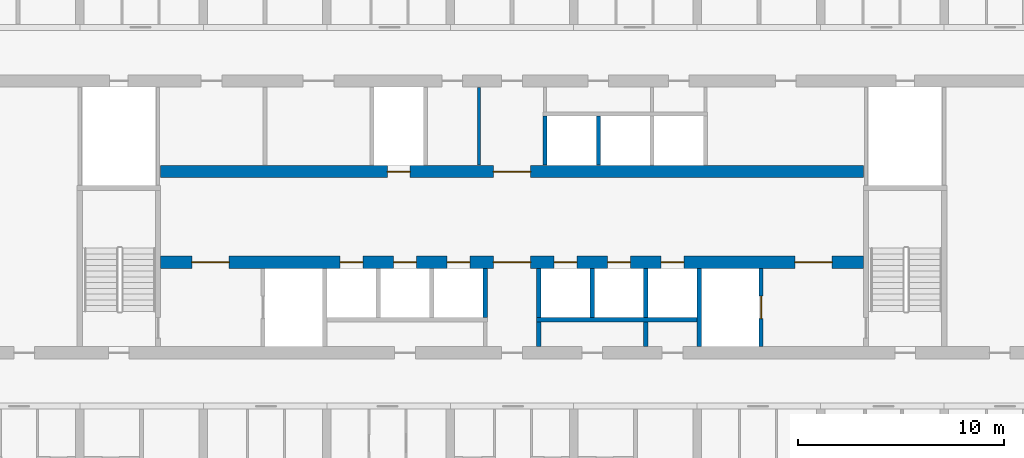
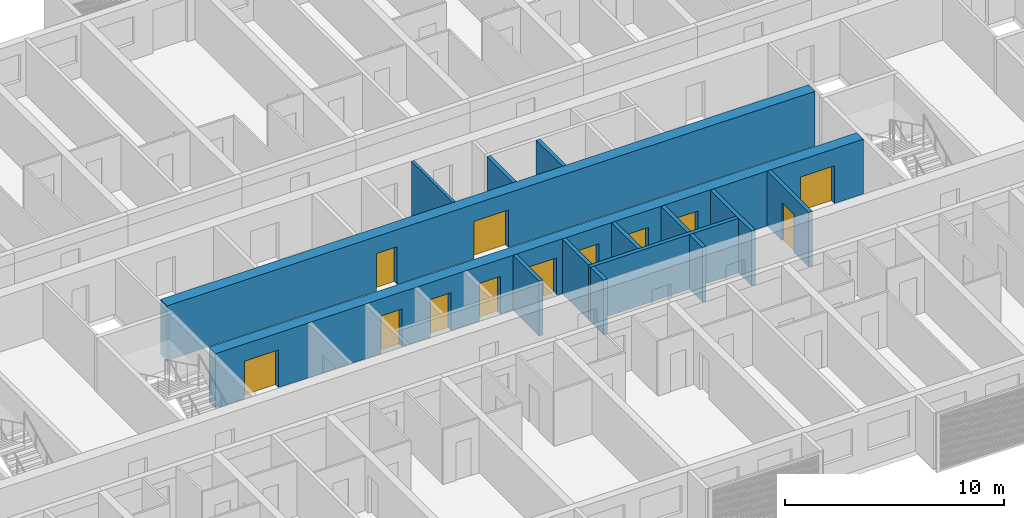
# One storey, part 8 of 38: 14 walls, 12 doors, 12 openings.
"""IFC4 building model written with IfcOpenShell, lengths in metres."""

from ifc_helpers import new_model, si_unit, direction, frame, frame_2d, origin, place, context, subcontext, project, spatial, rectangle, extrude, material, layer, layer_set, type_object, element, fill, save


model = new_model("IFC4")

# Units and contexts
model_context = context("Model", 3, precision=1e-05, world=origin(), true_north=direction((0.0, 1.0)))
body_context = subcontext(model_context, "Body", "Model", "MODEL_VIEW")
ifc_project = project(units=[si_unit("LENGTHUNIT", "METRE"), si_unit("AREAUNIT", "SQUARE_METRE"), si_unit("VOLUMEUNIT", "CUBIC_METRE"), si_unit("PLANEANGLEUNIT", "RADIAN"), si_unit("MASSUNIT", "GRAM", prefix="KILO")], contexts=[model_context])

# Site, building, storey
site_placement = place(None, origin())
site = spatial("IfcSite", under=ifc_project, at=site_placement, CompositionType="ELEMENT")
building_placement = place(site_placement, origin())
building = spatial("IfcBuilding", under=site, at=building_placement, Name="Poui Terraces", CompositionType="ELEMENT")
storey_placement = place(building_placement, frame((0.0, 0.0, 43.199951171875)))
storey = spatial("IfcBuildingStorey", under=building, at=storey_placement, Name="L11", CompositionType="ELEMENT", Elevation=43.199951171875)

# Wall, openings, doors
ifc_material_1 = material(Name="Concrete 80 MPa", Category="concrete")
ifc_layer_1 = layer(ifc_material_1, 0.60009765625)
ifc_layer_set_1 = layer_set([ifc_layer_1], Name="Concrete 80 MPa")
wall_type_1 = type_object("IfcWallType", Name="CORE WALL 600 80 MPA", PredefinedType="SOLIDWALL", material=ifc_layer_set_1)
wall_1_placement = place(storey_placement, frame((33.925048828125, 19.0, 0.0), z_axis=(0.0, 0.0, 1.0), x_axis=(1.0, 0.0, 0.0)))
wall_1 = element("IfcWall", 1, at=wall_1_placement, inside=storey, type_object=wall_type_1, Name="CORE WALL", PredefinedType="SOLIDWALL", context=body_context, shape_type="SweptSolid", body=[
    extrude(rectangle(XDim=34.14990234375, YDim=0.60009765625, at=frame_2d((17.074951171875, 0.0))), origin(), (0.0, 0.0, 1.0), 3.050048828125),
])
opening_1_placement = place(wall_1_placement, frame((16.175048828125, 0.0, 0.0)))
opening_1 = element("IfcOpeningElement", 2, at=opening_1_placement, cuts=wall_1, Name="Opening FDD60", PredefinedType="OPENING", context=body_context, shape_type="SweptSolid", body=[
    extrude(rectangle(XDim=1.800048828125, YDim=2.10009765625, at=frame_2d((0.89990234375, 1.050048828125))), frame((0.0, 0.31005859375, 0.0), z_axis=(0.0, -1.0, 0.0), x_axis=(1.0, 0.0, 0.0)), (0.0, 0.0, 1.0), 0.6201171875),
])
opening_2_placement = place(wall_1_placement, frame((1.52490234375, 0.0, 0.0)))
opening_2 = element("IfcOpeningElement", 3, at=opening_2_placement, cuts=wall_1, Name="Opening FDD60", PredefinedType="OPENING", context=body_context, shape_type="SweptSolid", body=[
    extrude(rectangle(XDim=1.800048828125, YDim=2.10009765625, at=frame_2d((0.89990234375, 1.050048828125))), frame((0.0, 0.31005859375, 0.0), z_axis=(0.0, -1.0, 0.0), x_axis=(1.0, 0.0, 0.0)), (0.0, 0.0, 1.0), 0.6201171875),
])
opening_3_placement = place(wall_1_placement, frame((8.72509765625, 0.0, 0.0)))
opening_3 = element("IfcOpeningElement", 4, at=opening_3_placement, cuts=wall_1, Name="Opening LD", PredefinedType="OPENING", context=body_context, shape_type="SweptSolid", body=[
    extrude(rectangle(XDim=1.10009765625, YDim=2.10009765625, at=frame_2d((0.550048828125, 1.050048828125))), frame((0.0, 0.31005859375, 0.0), z_axis=(0.0, -1.0, 0.0), x_axis=(1.0, 0.0, 0.0)), (0.0, 0.0, 1.0), 0.6201171875),
])
opening_4_placement = place(wall_1_placement, frame((11.324951171875, 0.0, 0.0)))
opening_4 = element("IfcOpeningElement", 5, at=opening_4_placement, cuts=wall_1, Name="Opening LD", PredefinedType="OPENING", context=body_context, shape_type="SweptSolid", body=[
    extrude(rectangle(XDim=1.10009765625, YDim=2.10009765625, at=frame_2d((0.550048828125, 1.050048828125))), frame((0.0, 0.31005859375, 0.0), z_axis=(0.0, -1.0, 0.0), x_axis=(1.0, 0.0, 0.0)), (0.0, 0.0, 1.0), 0.6201171875),
])
opening_5_placement = place(wall_1_placement, frame((13.925048828125, 0.0, 0.0)))
opening_5 = element("IfcOpeningElement", 6, at=opening_5_placement, cuts=wall_1, Name="Opening LD", PredefinedType="OPENING", context=body_context, shape_type="SweptSolid", body=[
    extrude(rectangle(XDim=1.10009765625, YDim=2.10009765625, at=frame_2d((0.550048828125, 1.050048828125))), frame((0.0, 0.31005859375, 0.0), z_axis=(0.0, -1.0, 0.0), x_axis=(1.0, 0.0, 0.0)), (0.0, 0.0, 1.0), 0.6201171875),
])
opening_6_placement = place(wall_1_placement, frame((19.125, 0.0, 0.0)))
opening_6 = element("IfcOpeningElement", 7, at=opening_6_placement, cuts=wall_1, Name="Opening LD", PredefinedType="OPENING", context=body_context, shape_type="SweptSolid", body=[
    extrude(rectangle(XDim=1.10009765625, YDim=2.10009765625, at=frame_2d((0.550048828125, 1.050048828125))), frame((0.0, 0.31005859375, 0.0), z_axis=(0.0, -1.0, 0.0), x_axis=(1.0, 0.0, 0.0)), (0.0, 0.0, 1.0), 0.6201171875),
])
opening_7_placement = place(wall_1_placement, frame((21.72509765625, 0.0, 0.0)))
opening_7 = element("IfcOpeningElement", 8, at=opening_7_placement, cuts=wall_1, Name="Opening LD", PredefinedType="OPENING", context=body_context, shape_type="SweptSolid", body=[
    extrude(rectangle(XDim=1.10009765625, YDim=2.10009765625, at=frame_2d((0.550048828125, 1.050048828125))), frame((0.0, 0.31005859375, 0.0), z_axis=(0.0, -1.0, 0.0), x_axis=(1.0, 0.0, 0.0)), (0.0, 0.0, 1.0), 0.6201171875),
])
opening_8_placement = place(wall_1_placement, frame((24.324951171875, 0.0, 0.0)))
opening_8 = element("IfcOpeningElement", 9, at=opening_8_placement, cuts=wall_1, Name="Opening LD", PredefinedType="OPENING", context=body_context, shape_type="SweptSolid", body=[
    extrude(rectangle(XDim=1.10009765625, YDim=2.10009765625, at=frame_2d((0.550048828125, 1.050048828125))), frame((0.0, 0.31005859375, 0.0), z_axis=(0.0, -1.0, 0.0), x_axis=(1.0, 0.0, 0.0)), (0.0, 0.0, 1.0), 0.6201171875),
])
opening_9_placement = place(wall_1_placement, frame((30.824951171875, 0.0, 0.0)))
opening_9 = element("IfcOpeningElement", 10, at=opening_9_placement, cuts=wall_1, Name="Opening FDD60", PredefinedType="OPENING", context=body_context, shape_type="SweptSolid", body=[
    extrude(rectangle(XDim=1.800048828125, YDim=2.10009765625, at=frame_2d((0.89990234375, 1.050048828125))), frame((0.0, 0.31005859375, 0.0), z_axis=(0.0, -1.0, 0.0), x_axis=(1.0, 0.0, 0.0)), (0.0, 0.0, 1.0), 0.6201171875),
])
ifc_material_2 = material(Name="Steel fire door", Category="steel")
door_type_1 = type_object("IfcDoorType", Name="DOUBLE LOBBY FIRE DOOR 1800 X 2100", OperationType="DOUBLE_DOOR_SINGLE_SWING", PredefinedType="DOOR", material=ifc_material_2)
door_1_placement = place(opening_1_placement, frame((1.800048828125, 0.0, 0.0), z_axis=(0.0, 0.0, 1.0), x_axis=(-1.0, 0.0, 0.0)))
door_1 = element("IfcDoor", 11, at=door_1_placement, inside=storey, type_object=door_type_1, Name="DOUBLE LOBBY FIRE DOOR 153", OperationType="DOUBLE_DOOR_SINGLE_SWING", OverallHeight=2.10009765625, OverallWidth=1.800048828125, PredefinedType="DOOR", context=body_context, shape_type="SweptSolid", body=[
    extrude(rectangle(XDim=1.800048828125, YDim=2.10009765625, at=frame_2d((0.89990234375, 1.050048828125))), frame((0.0, 0.02490234375, 0.0), z_axis=(0.0, -1.0, 0.0), x_axis=(1.0, 0.0, 0.0)), (0.0, 0.0, 1.0), 0.050048828125),
])
fill(opening_1, door_1)
door_2_placement = place(opening_2_placement, origin())
door_2 = element("IfcDoor", 12, at=door_2_placement, inside=storey, type_object=door_type_1, Name="DOUBLE LOBBY FIRE DOOR 154", OperationType="DOUBLE_DOOR_SINGLE_SWING", OverallHeight=2.10009765625, OverallWidth=1.800048828125, PredefinedType="DOOR", context=body_context, shape_type="SweptSolid", body=[
    extrude(rectangle(XDim=1.800048828125, YDim=2.10009765625, at=frame_2d((0.89990234375, 1.050048828125))), frame((0.0, 0.02490234375, 0.0), z_axis=(0.0, -1.0, 0.0), x_axis=(1.0, 0.0, 0.0)), (0.0, 0.0, 1.0), 0.050048828125),
])
fill(opening_2, door_2)
door_3_placement = place(opening_9_placement, origin())
door_3 = element("IfcDoor", 13, at=door_3_placement, inside=storey, type_object=door_type_1, Name="DOUBLE LOBBY FIRE DOOR 162", OperationType="DOUBLE_DOOR_SINGLE_SWING", OverallHeight=2.10009765625, OverallWidth=1.800048828125, PredefinedType="DOOR", context=body_context, shape_type="SweptSolid", body=[
    extrude(rectangle(XDim=1.800048828125, YDim=2.10009765625, at=frame_2d((0.89990234375, 1.050048828125))), frame((0.0, 0.02490234375, 0.0), z_axis=(0.0, -1.0, 0.0), x_axis=(1.0, 0.0, 0.0)), (0.0, 0.0, 1.0), 0.050048828125),
])
fill(opening_9, door_3)
ifc_material_3 = material(Name="Stainless steel sliding door", Category="steel")
door_type_2 = type_object("IfcDoorType", Name="LIFT LANDING DOOR 1100 X 2100", OperationType="DOUBLE_DOOR_SLIDING", PredefinedType="DOOR", material=ifc_material_3)
door_4_placement = place(opening_3_placement, origin())
door_4 = element("IfcDoor", 14, at=door_4_placement, inside=storey, type_object=door_type_2, Name="LANDING DOOR", OperationType="DOUBLE_DOOR_SLIDING", OverallHeight=2.10009765625, OverallWidth=1.10009765625, PredefinedType="DOOR", context=body_context, shape_type="SweptSolid", body=[
    extrude(rectangle(XDim=1.10009765625, YDim=2.10009765625, at=frame_2d((0.550048828125, 1.050048828125))), frame((0.0, 0.02490234375, 0.0), z_axis=(0.0, -1.0, 0.0), x_axis=(1.0, 0.0, 0.0)), (0.0, 0.0, 1.0), 0.050048828125),
])
fill(opening_3, door_4)
door_5_placement = place(opening_4_placement, origin())
door_5 = element("IfcDoor", 15, at=door_5_placement, inside=storey, type_object=door_type_2, Name="LANDING DOOR", OperationType="DOUBLE_DOOR_SLIDING", OverallHeight=2.10009765625, OverallWidth=1.10009765625, PredefinedType="DOOR", context=body_context, shape_type="SweptSolid", body=[
    extrude(rectangle(XDim=1.10009765625, YDim=2.10009765625, at=frame_2d((0.550048828125, 1.050048828125))), frame((0.0, 0.02490234375, 0.0), z_axis=(0.0, -1.0, 0.0), x_axis=(1.0, 0.0, 0.0)), (0.0, 0.0, 1.0), 0.050048828125),
])
fill(opening_4, door_5)
door_6_placement = place(opening_5_placement, origin())
door_6 = element("IfcDoor", 16, at=door_6_placement, inside=storey, type_object=door_type_2, Name="LANDING DOOR", OperationType="DOUBLE_DOOR_SLIDING", OverallHeight=2.10009765625, OverallWidth=1.10009765625, PredefinedType="DOOR", context=body_context, shape_type="SweptSolid", body=[
    extrude(rectangle(XDim=1.10009765625, YDim=2.10009765625, at=frame_2d((0.550048828125, 1.050048828125))), frame((0.0, 0.02490234375, 0.0), z_axis=(0.0, -1.0, 0.0), x_axis=(1.0, 0.0, 0.0)), (0.0, 0.0, 1.0), 0.050048828125),
])
fill(opening_5, door_6)
door_7_placement = place(opening_6_placement, origin())
door_7 = element("IfcDoor", 17, at=door_7_placement, inside=storey, type_object=door_type_2, Name="LANDING DOOR", OperationType="DOUBLE_DOOR_SLIDING", OverallHeight=2.10009765625, OverallWidth=1.10009765625, PredefinedType="DOOR", context=body_context, shape_type="SweptSolid", body=[
    extrude(rectangle(XDim=1.10009765625, YDim=2.10009765625, at=frame_2d((0.550048828125, 1.050048828125))), frame((0.0, 0.02490234375, 0.0), z_axis=(0.0, -1.0, 0.0), x_axis=(1.0, 0.0, 0.0)), (0.0, 0.0, 1.0), 0.050048828125),
])
fill(opening_6, door_7)
door_8_placement = place(opening_7_placement, origin())
door_8 = element("IfcDoor", 18, at=door_8_placement, inside=storey, type_object=door_type_2, Name="LANDING DOOR", OperationType="DOUBLE_DOOR_SLIDING", OverallHeight=2.10009765625, OverallWidth=1.10009765625, PredefinedType="DOOR", context=body_context, shape_type="SweptSolid", body=[
    extrude(rectangle(XDim=1.10009765625, YDim=2.10009765625, at=frame_2d((0.550048828125, 1.050048828125))), frame((0.0, 0.02490234375, 0.0), z_axis=(0.0, -1.0, 0.0), x_axis=(1.0, 0.0, 0.0)), (0.0, 0.0, 1.0), 0.050048828125),
])
fill(opening_7, door_8)
door_9_placement = place(opening_8_placement, origin())
door_9 = element("IfcDoor", 19, at=door_9_placement, inside=storey, type_object=door_type_2, Name="LANDING DOOR", OperationType="DOUBLE_DOOR_SLIDING", OverallHeight=2.10009765625, OverallWidth=1.10009765625, PredefinedType="DOOR", context=body_context, shape_type="SweptSolid", body=[
    extrude(rectangle(XDim=1.10009765625, YDim=2.10009765625, at=frame_2d((0.550048828125, 1.050048828125))), frame((0.0, 0.02490234375, 0.0), z_axis=(0.0, -1.0, 0.0), x_axis=(1.0, 0.0, 0.0)), (0.0, 0.0, 1.0), 0.050048828125),
])
fill(opening_8, door_9)

wall_2_placement = place(storey_placement, frame((33.925048828125, 23.39990234375, 0.0), z_axis=(0.0, 0.0, 1.0), x_axis=(1.0, 0.0, 0.0)))
wall_2 = element("IfcWall", 20, at=wall_2_placement, inside=storey, type_object=wall_type_1, Name="CORE WALL", PredefinedType="SOLIDWALL", context=body_context, shape_type="SweptSolid", body=[
    extrude(rectangle(XDim=34.14990234375, YDim=0.60009765625, at=frame_2d((17.074951171875, 0.0))), origin(), (0.0, 0.0, 1.0), 3.050048828125),
])
opening_10_placement = place(wall_2_placement, frame((16.175048828125, 0.0, 0.0)))
opening_10 = element("IfcOpeningElement", 21, at=opening_10_placement, cuts=wall_2, Name="Opening FDD60", PredefinedType="OPENING", context=body_context, shape_type="SweptSolid", body=[
    extrude(rectangle(XDim=1.800048828125, YDim=2.10009765625, at=frame_2d((0.89990234375, 1.050048828125))), frame((0.0, 0.31005859375, 0.0), z_axis=(0.0, -1.0, 0.0), x_axis=(1.0, 0.0, 0.0)), (0.0, 0.0, 1.0), 0.6201171875),
])
opening_11_placement = place(wall_2_placement, frame((11.02490234375, 0.0, 0.0)))
opening_11 = element("IfcOpeningElement", 22, at=opening_11_placement, cuts=wall_2, Name="Opening LD", PredefinedType="OPENING", context=body_context, shape_type="SweptSolid", body=[
    extrude(rectangle(XDim=1.10009765625, YDim=2.10009765625, at=frame_2d((0.550048828125, 1.050048828125))), frame((0.0, 0.31005859375, 0.0), z_axis=(0.0, -1.0, 0.0), x_axis=(1.0, 0.0, 0.0)), (0.0, 0.0, 1.0), 0.6201171875),
])
door_10_placement = place(opening_10_placement, origin())
door_10 = element("IfcDoor", 23, at=door_10_placement, inside=storey, type_object=door_type_1, Name="DOUBLE LOBBY FIRE DOOR 152", OperationType="DOUBLE_DOOR_SINGLE_SWING", OverallHeight=2.10009765625, OverallWidth=1.800048828125, PredefinedType="DOOR", context=body_context, shape_type="SweptSolid", body=[
    extrude(rectangle(XDim=1.800048828125, YDim=2.10009765625, at=frame_2d((0.89990234375, 1.050048828125))), frame((0.0, 0.02490234375, 0.0), z_axis=(0.0, -1.0, 0.0), x_axis=(1.0, 0.0, 0.0)), (0.0, 0.0, 1.0), 0.050048828125),
])
fill(opening_10, door_10)
door_11_placement = place(opening_11_placement, origin())
door_11 = element("IfcDoor", 24, at=door_11_placement, inside=storey, type_object=door_type_2, Name="LANDING DOOR", OperationType="DOUBLE_DOOR_SLIDING", OverallHeight=2.10009765625, OverallWidth=1.10009765625, PredefinedType="DOOR", context=body_context, shape_type="SweptSolid", body=[
    extrude(rectangle(XDim=1.10009765625, YDim=2.10009765625, at=frame_2d((0.550048828125, 1.050048828125))), frame((0.0, 0.02490234375, 0.0), z_axis=(0.0, -1.0, 0.0), x_axis=(1.0, 0.0, 0.0)), (0.0, 0.0, 1.0), 0.050048828125),
])
fill(opening_11, door_11)

# Walls
ifc_material_4 = material(Name="Fire-rated plasterboard wall")
ifc_layer_2 = layer(ifc_material_4, 0.14990234375)
ifc_layer_set_2 = layer_set([ifc_layer_2], Name="Fire-rated plasterboard wall")
wall_type_2 = type_object("IfcWallType", Name="CORRIDOR WALL 150", PredefinedType="PARTITIONING", material=ifc_layer_set_2)
wall_3_placement = place(storey_placement, frame((49.39990234375, 23.7099609375, 0.0), z_axis=(0.0, 0.0, 1.0), x_axis=(0.0, 1.0, 0.0)))
element("IfcWall", 25, at=wall_3_placement, inside=storey, type_object=wall_type_2, Name="CORRIDOR WALL 150", PredefinedType="PARTITIONING", context=body_context, shape_type="SweptSolid", body=[
    extrude(rectangle(XDim=3.780029296875, YDim=0.14990234375, at=frame_2d((1.89013671875, 0.0))), origin(), (0.0, 0.0, 1.0), 3.050048828125),
])
ifc_material_5 = material(Name="Fire-rated masonry wall", Category="masonry")
ifc_layer_3 = layer(ifc_material_5, 0.199951171875)
ifc_layer_set_3 = layer_set([ifc_layer_3], Name="Fire-rated masonry wall")
wall_type_3 = type_object("IfcWallType", Name="PLANT ROOM WALL 200", PredefinedType="PARTITIONING", material=ifc_layer_set_3)
for number, where, z_axis, x_axis, name in (
    (26, (52.300048828125, 14.909912109375, 0.0), (0.0, 0.0, 1.0), (0.0, 1.0, 0.0), "PLANT ROOM WALL 200"),
    (27, (57.5, 14.909912109375, 0.0), (0.0, 0.0, 1.0), (0.0, 1.0, 0.0), "PLANT ROOM WALL 200"),
):
    element("IfcWall", number, at=place(storey_placement, frame(where, z_axis=z_axis, x_axis=x_axis)), inside=storey, type_object=wall_type_3, Name=name, PredefinedType="PARTITIONING", context=body_context, shape_type="SweptSolid", body=[
        extrude(rectangle(XDim=1.190185546875, YDim=0.199951171875, at=frame_2d((0.59521484375, 0.0))), origin(), (0.0, 0.0, 1.0), 3.050048828125),
    ])
ifc_material_6 = material(Name="Fire-rated masonry shaft wall", Category="masonry")
ifc_layer_4 = layer(ifc_material_6, 0.199951171875)
ifc_layer_set_4 = layer_set([ifc_layer_4], Name="Fire-rated masonry shaft wall")
wall_type_4 = type_object("IfcWallType", Name="SHAFT WALL 200", PredefinedType="PARTITIONING", material=ifc_layer_set_4)
wall_4_placement = place(storey_placement, frame((52.199951171875, 16.199951171875, 0.0), z_axis=(0.0, 0.0, 1.0), x_axis=(1.0, 0.0, 0.0)))
element("IfcWall", 28, at=wall_4_placement, inside=storey, type_object=wall_type_4, Name="SHAFT WALL 200", PredefinedType="PARTITIONING", context=body_context, shape_type="SweptSolid", body=[
    extrude(rectangle(XDim=7.800048828125, YDim=0.199951171875, at=frame_2d((3.89990234375, 0.0))), origin(), (0.0, 0.0, 1.0), 3.050048828125),
])
for number, where, z_axis, x_axis, name in (
    (29, (49.699951171875, 16.300048828125, 0.0), (0.0, 0.0, 1.0), (0.0, 1.0, 0.0), "SHAFT WALL 200"),
    (30, (52.300048828125, 16.300048828125, 0.0), (0.0, 0.0, 1.0), (0.0, 1.0, 0.0), "SHAFT WALL 200"),
):
    element("IfcWall", number, at=place(storey_placement, frame(where, z_axis=z_axis, x_axis=x_axis)), inside=storey, type_object=wall_type_4, Name=name, PredefinedType="PARTITIONING", context=body_context, shape_type="SweptSolid", body=[
        extrude(rectangle(XDim=2.389892578125, YDim=0.199951171875, at=frame_2d((1.19482421875, 0.0))), origin(), (0.0, 0.0, 1.0), 3.050048828125),
    ])
wall_5_placement = place(storey_placement, frame((52.60009765625, 23.7099609375, 0.0), z_axis=(0.0, 0.0, 1.0), x_axis=(0.0, 1.0, 0.0)))
element("IfcWall", 31, at=wall_5_placement, inside=storey, type_object=wall_type_4, Name="SHAFT WALL 200", PredefinedType="PARTITIONING", context=body_context, shape_type="SweptSolid", body=[
    extrude(rectangle(XDim=2.39013671875, YDim=0.199951171875, at=frame_2d((1.195068359375, 0.0))), origin(), (0.0, 0.0, 1.0), 3.050048828125),
])
wall_6_placement = place(storey_placement, frame((54.89990234375, 16.300048828125, 0.0), z_axis=(0.0, 0.0, 1.0), x_axis=(0.0, 1.0, 0.0)))
element("IfcWall", 32, at=wall_6_placement, inside=storey, type_object=wall_type_4, Name="SHAFT WALL 200", PredefinedType="PARTITIONING", context=body_context, shape_type="SweptSolid", body=[
    extrude(rectangle(XDim=2.389892578125, YDim=0.199951171875, at=frame_2d((1.19482421875, 0.0))), origin(), (0.0, 0.0, 1.0), 3.050048828125),
])
wall_7_placement = place(storey_placement, frame((55.199951171875, 23.7099609375, 0.0), z_axis=(0.0, 0.0, 1.0), x_axis=(0.0, 1.0, 0.0)))
element("IfcWall", 33, at=wall_7_placement, inside=storey, type_object=wall_type_4, Name="SHAFT WALL 200", PredefinedType="PARTITIONING", context=body_context, shape_type="SweptSolid", body=[
    extrude(rectangle(XDim=2.39013671875, YDim=0.199951171875, at=frame_2d((1.195068359375, 0.0))), origin(), (0.0, 0.0, 1.0), 3.050048828125),
])
wall_8_placement = place(storey_placement, frame((57.5, 16.300048828125, 0.0), z_axis=(0.0, 0.0, 1.0), x_axis=(0.0, 1.0, 0.0)))
element("IfcWall", 34, at=wall_8_placement, inside=storey, type_object=wall_type_4, Name="SHAFT WALL 200", PredefinedType="PARTITIONING", context=body_context, shape_type="SweptSolid", body=[
    extrude(rectangle(XDim=2.389892578125, YDim=0.199951171875, at=frame_2d((1.19482421875, 0.0))), origin(), (0.0, 0.0, 1.0), 3.050048828125),
])
wall_9_placement = place(storey_placement, frame((60.10009765625, 14.909912109375, 0.0), z_axis=(0.0, 0.0, 1.0), x_axis=(0.0, 1.0, 0.0)))
element("IfcWall", 35, at=wall_9_placement, inside=storey, type_object=wall_type_4, Name="SHAFT WALL 200", PredefinedType="PARTITIONING", context=body_context, shape_type="SweptSolid", body=[
    extrude(rectangle(XDim=3.780029296875, YDim=0.199951171875, at=frame_2d((1.89013671875, 0.0))), origin(), (0.0, 0.0, 1.0), 3.050048828125),
])

# Wall, opening, door
wall_10_placement = place(storey_placement, frame((63.10009765625, 14.909912109375, 0.0), z_axis=(0.0, 0.0, 1.0), x_axis=(0.0, 1.0, 0.0)))
wall_10 = element("IfcWall", 36, at=wall_10_placement, inside=storey, type_object=wall_type_4, Name="SHAFT WALL 200", PredefinedType="PARTITIONING", context=body_context, shape_type="SweptSolid", body=[
    extrude(rectangle(XDim=3.780029296875, YDim=0.199951171875, at=frame_2d((1.89013671875, 0.0))), origin(), (0.0, 0.0, 1.0), 3.050048828125),
])
opening_12_placement = place(wall_10_placement, frame((1.340087890625, 0.0, 0.0)))
opening_12 = element("IfcOpeningElement", 37, at=opening_12_placement, cuts=wall_10, Name="Opening LD", PredefinedType="OPENING", context=body_context, shape_type="SweptSolid", body=[
    extrude(rectangle(XDim=1.10009765625, YDim=2.10009765625, at=frame_2d((0.550048828125, 1.050048828125))), frame((0.0, 0.10986328125, 0.0), z_axis=(0.0, -1.0, 0.0), x_axis=(1.0, 0.0, 0.0)), (0.0, 0.0, 1.0), 0.219970703125),
])
door_12_placement = place(opening_12_placement, origin())
door_12 = element("IfcDoor", 38, at=door_12_placement, inside=storey, type_object=door_type_2, Name="LANDING DOOR", OperationType="DOUBLE_DOOR_SLIDING", OverallHeight=2.10009765625, OverallWidth=1.10009765625, PredefinedType="DOOR", context=body_context, shape_type="SweptSolid", body=[
    extrude(rectangle(XDim=1.10009765625, YDim=2.10009765625, at=frame_2d((0.550048828125, 1.050048828125))), frame((0.0, 0.02490234375, 0.0), z_axis=(0.0, -1.0, 0.0), x_axis=(1.0, 0.0, 0.0)), (0.0, 0.0, 1.0), 0.050048828125),
])
fill(opening_12, door_12)

save(model, "model.ifc")
